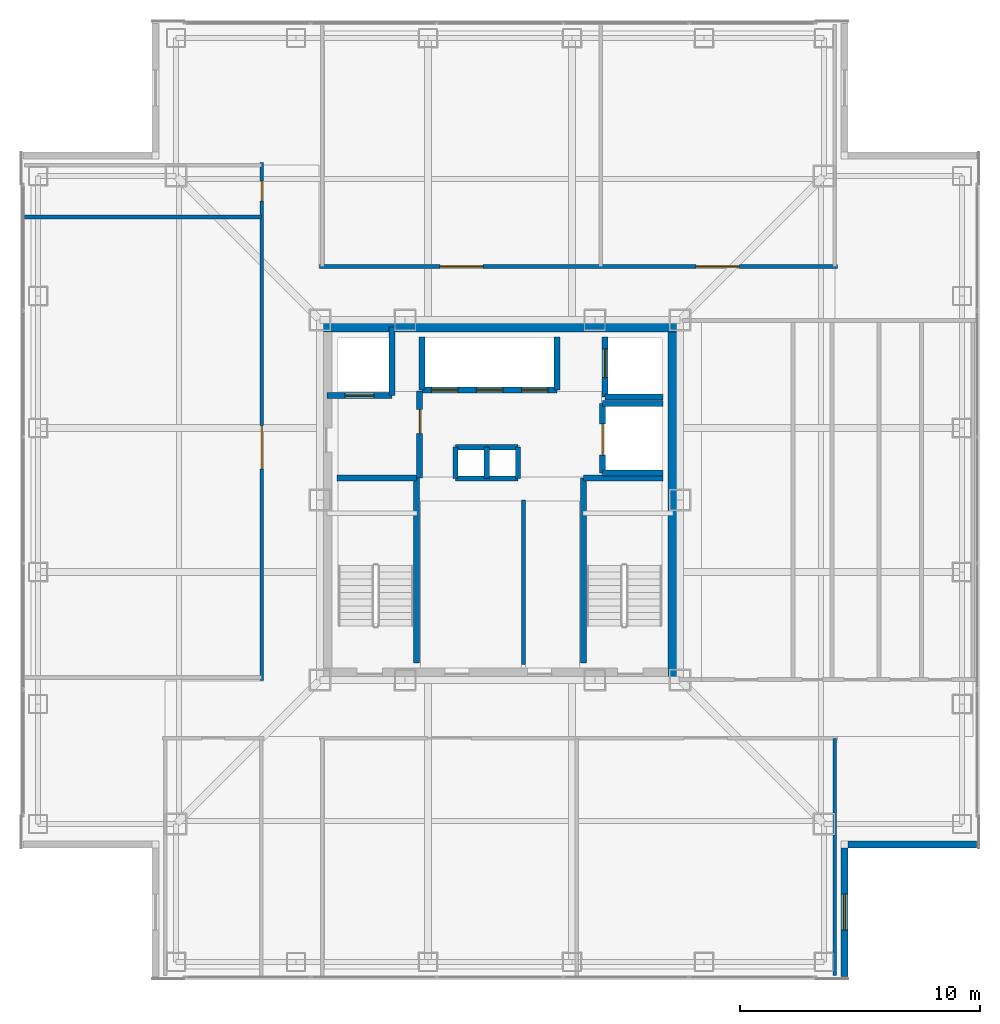
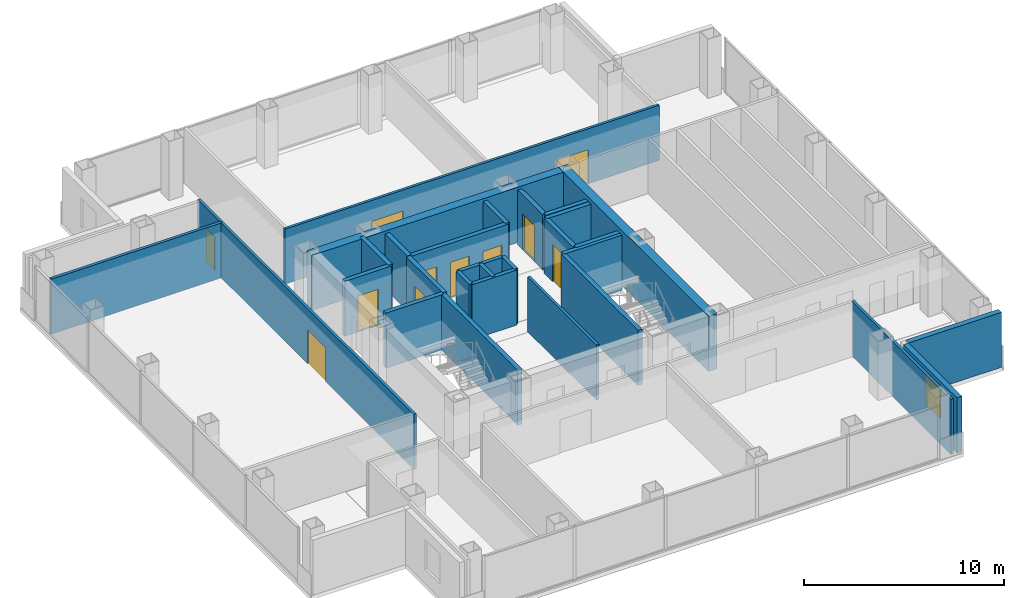
# One storey, part 11 of 18: 29 walls, 11 doors, 1 window, 12 openings.
"""IFC4 building model written with IfcOpenShell, lengths in metres."""

from ifc_helpers import new_model, si_unit, direction, frame, frame_2d, origin, place, context, subcontext, project, spatial, rectangle, extrude, material, layer, layer_set, type_object, element, fill, save


model = new_model("IFC4")

# Units and contexts
model_context = context("Model", 3, precision=1e-05, world=origin(), true_north=direction((0.0, 1.0)))
body_context = subcontext(model_context, "Body", "Model", "MODEL_VIEW")
ifc_project = project(units=[si_unit("LENGTHUNIT", "METRE"), si_unit("AREAUNIT", "SQUARE_METRE"), si_unit("VOLUMEUNIT", "CUBIC_METRE"), si_unit("PLANEANGLEUNIT", "RADIAN"), si_unit("MASSUNIT", "GRAM", prefix="KILO")], contexts=[model_context])

# Site, building, storey
site_placement = place(None, origin())
site = spatial("IfcSite", under=ifc_project, at=site_placement, CompositionType="ELEMENT")
building_placement = place(site_placement, origin())
building = spatial("IfcBuilding", under=site, at=building_placement, Name="Trevonay Congress Spire", CompositionType="ELEMENT")
storey_placement = place(building_placement, frame((0.0, 0.0, 198.60009765625)))
storey = spatial("IfcBuildingStorey", under=building, at=storey_placement, Name="L51", CompositionType="ELEMENT", Elevation=198.60009765625)

# Walls
ifc_material_1 = material(Name="Concrete C50/60", Category="concrete")
ifc_layer_1 = layer(ifc_material_1, 0.5, Name="Concrete C50/60")
ifc_layer_set_1 = layer_set([ifc_layer_1], Name="Concrete C50/60")
wall_type_1 = type_object("IfcWallType", Name="WAL-CORE-500", PredefinedType="SHEAR", material=ifc_layer_set_1)
for number, where, z_axis, x_axis, name in (
    (1, (-7.5, 7.25, 0.0), (0.0, 0.0, 1.0), (1.0, 0.0, 0.0), "L51 North structural core shear wall"),
    (2, (7.25, -7.5, 0.0), (0.0, 0.0, 1.0), (0.0, 1.0, 0.0), "L51 East structural core shear wall"),
):
    element("IfcWall", number, at=place(storey_placement, frame(where, z_axis=z_axis, x_axis=x_axis)), inside=storey, type_object=wall_type_1, Name=name, PredefinedType="SHEAR", context=body_context, shape_type="SweptSolid", body=[
        extrude(rectangle(XDim=15.0, YDim=0.5, at=frame_2d((7.5, 0.0))), origin(), (0.0, 0.0, 1.0), 3.35986328125),
    ])

# Wall, openings, doors
ifc_material_2 = material(Name="Concrete C40/50", Category="concrete")
ifc_layer_2 = layer(ifc_material_2, 0.14990234375, Name="Concrete C40/50")
ifc_layer_set_2 = layer_set([ifc_layer_2], Name="Concrete C40/50")
wall_type_2 = type_object("IfcWallType", Name="WAL-CORR-150", PredefinedType="PARTITIONING", material=ifc_layer_set_2)
wall_1_placement = place(storey_placement, frame((-9.929931640625, -7.52001953125, 0.0), z_axis=(0.0, 0.0, 1.0), x_axis=(0.0, 1.0, 0.0)))
wall_1 = element("IfcWall", 3, at=wall_1_placement, inside=storey, type_object=wall_type_2, Name="L51 interior wall WP-L51NW-COR", PredefinedType="PARTITIONING", context=body_context, shape_type="SweptSolid", body=[
    extrude(rectangle(XDim=21.590087890625, YDim=0.14990234375, at=frame_2d((10.794921875, 0.0))), origin(), (0.0, 0.0, 1.0), 3.35986328125),
])
opening_1_placement = place(wall_1_placement, frame((8.820068359375, 0.0, 0.0)))
opening_1 = element("IfcOpeningElement", 4, at=opening_1_placement, cuts=wall_1, Name="Opening D09", PredefinedType="OPENING", context=body_context, shape_type="SweptSolid", body=[
    extrude(rectangle(XDim=1.800048828125, YDim=2.080078125, at=frame_2d((0.89990234375, 1.0400390625))), frame((0.0, 0.0849609375, 0.0), z_axis=(0.0, -1.0, 0.0), x_axis=(1.0, 0.0, 0.0)), (0.0, 0.0, 1.0), 0.169921875),
])
opening_2_placement = place(wall_1_placement, frame((19.969970703125, 0.0, 0.0)))
opening_2 = element("IfcOpeningElement", 5, at=opening_2_placement, cuts=wall_1, Name="Opening D10", PredefinedType="OPENING", context=body_context, shape_type="SweptSolid", body=[
    extrude(rectangle(XDim=0.85009765625, YDim=2.050048828125, at=frame_2d((0.425048828125, 1.02490234375))), frame((0.0, 0.0849609375, 0.0), z_axis=(0.0, -1.0, 0.0), x_axis=(1.0, 0.0, 0.0)), (0.0, 0.0, 1.0), 0.169921875),
])
ifc_material_3 = material(Name="Pale Anodised Aluminium EN AW-6063-T6", Category="aluminium")
door_type_1 = type_object("IfcDoorType", Name="DOR-CONF-DBL", OperationType="DOUBLE_DOOR_SINGLE_SWING", PredefinedType="DOOR", material=ifc_material_3)
door_1_placement = place(opening_1_placement, origin())
door_1 = element("IfcDoor", 6, at=door_1_placement, inside=storey, type_object=door_type_1, Name="L51 Harbour View Grand Banquet Dining Room Door", OperationType="DOUBLE_DOOR_SINGLE_SWING", OverallHeight=2.080078125, OverallWidth=1.800048828125, PredefinedType="DOOR", context=body_context, shape_type="SweptSolid", body=[
    extrude(rectangle(XDim=1.800048828125, YDim=2.080078125, at=frame_2d((0.89990234375, 1.0400390625))), frame((0.0, 0.02490234375, 0.0), z_axis=(0.0, -1.0, 0.0), x_axis=(1.0, 0.0, 0.0)), (0.0, 0.0, 1.0), 0.050048828125),
])
fill(opening_1, door_1)
door_type_2 = type_object("IfcDoorType", Name="DOR-WC-85", OperationType="NOTDEFINED", PredefinedType="DOOR", material=ifc_material_3)
door_2_placement = place(opening_2_placement, origin())
door_2 = element("IfcDoor", 7, at=door_2_placement, inside=storey, type_object=door_type_2, Name="L51 Accessible WC Door", OperationType="SINGLE_SWING_LEFT", OverallHeight=2.050048828125, OverallWidth=0.85009765625, PredefinedType="DOOR", context=body_context, shape_type="SweptSolid", body=[
    extrude(rectangle(XDim=0.85009765625, YDim=2.050048828125, at=frame_2d((0.425048828125, 1.02490234375))), frame((0.0, 0.02490234375, 0.0), z_axis=(0.0, -1.0, 0.0), x_axis=(1.0, 0.0, 0.0)), (0.0, 0.0, 1.0), 0.050048828125),
])
fill(opening_2, door_2)

wall_2_placement = place(storey_placement, frame((-7.52001953125, 9.72998046875, 0.0), z_axis=(0.0, 0.0, 1.0), x_axis=(1.0, 0.0, 0.0)))
wall_2 = element("IfcWall", 8, at=wall_2_placement, inside=storey, type_object=wall_type_2, Name="L51 interior wall WP-L51N-COR", PredefinedType="PARTITIONING", context=body_context, shape_type="SweptSolid", body=[
    extrude(rectangle(XDim=21.590087890625, YDim=0.14990234375, at=frame_2d((10.794921875, 0.0))), origin(), (0.0, 0.0, 1.0), 3.35986328125),
])
opening_3_placement = place(wall_2_placement, frame((5.02001953125, 0.0, 0.0)))
opening_3 = element("IfcOpeningElement", 9, at=opening_3_placement, cuts=wall_2, Name="Opening D09", PredefinedType="OPENING", context=body_context, shape_type="SweptSolid", body=[
    extrude(rectangle(XDim=1.800048828125, YDim=2.080078125, at=frame_2d((0.89990234375, 1.0400390625))), frame((0.0, 0.0849609375, 0.0), z_axis=(0.0, -1.0, 0.0), x_axis=(1.0, 0.0, 0.0)), (0.0, 0.0, 1.0), 0.169921875),
])
opening_4_placement = place(wall_2_placement, frame((15.695068359375, 0.0, 0.0)))
opening_4 = element("IfcOpeningElement", 10, at=opening_4_placement, cuts=wall_2, Name="Opening D09", PredefinedType="OPENING", context=body_context, shape_type="SweptSolid", body=[
    extrude(rectangle(XDim=1.800048828125, YDim=2.080078125, at=frame_2d((0.89990234375, 1.0400390625))), frame((0.0, 0.0849609375, 0.0), z_axis=(0.0, -1.0, 0.0), x_axis=(1.0, 0.0, 0.0)), (0.0, 0.0, 1.0), 0.169921875),
])
door_3_placement = place(opening_3_placement, origin())
door_3 = element("IfcDoor", 11, at=door_3_placement, inside=storey, type_object=door_type_1, Name="L51 Champagne Aperitif Bar Door", OperationType="DOUBLE_DOOR_SINGLE_SWING", OverallHeight=2.080078125, OverallWidth=1.800048828125, PredefinedType="DOOR", context=body_context, shape_type="SweptSolid", body=[
    extrude(rectangle(XDim=1.800048828125, YDim=2.080078125, at=frame_2d((0.89990234375, 1.0400390625))), frame((0.0, 0.02490234375, 0.0), z_axis=(0.0, -1.0, 0.0), x_axis=(1.0, 0.0, 0.0)), (0.0, 0.0, 1.0), 0.050048828125),
])
fill(opening_3, door_3)
door_4_placement = place(opening_4_placement, origin())
door_4 = element("IfcDoor", 12, at=door_4_placement, inside=storey, type_object=door_type_1, Name="L51 Private Chef Table Dining Door", OperationType="DOUBLE_DOOR_SINGLE_SWING", OverallHeight=2.080078125, OverallWidth=1.800048828125, PredefinedType="DOOR", context=body_context, shape_type="SweptSolid", body=[
    extrude(rectangle(XDim=1.800048828125, YDim=2.080078125, at=frame_2d((0.89990234375, 1.0400390625))), frame((0.0, 0.02490234375, 0.0), z_axis=(0.0, -1.0, 0.0), x_axis=(1.0, 0.0, 0.0)), (0.0, 0.0, 1.0), 0.050048828125),
])
fill(opening_4, door_4)

# Wall, opening, window
ifc_material_4 = material(Name="Precast concrete C40/50", Category="concrete")
ifc_layer_3 = layer(ifc_material_4, 0.300048828125, Name="Precast concrete C40/50")
ifc_layer_set_3 = layer_set([ifc_layer_3], Name="Precast concrete C40/50")
wall_type_3 = type_object("IfcWallType", Name="WAL-EXT-PRECAST-300", PredefinedType="SOLIDWALL", material=ifc_layer_set_3)
wall_3_placement = place(storey_placement, frame((14.35009765625, -19.85009765625, 0.0), z_axis=(0.0, 0.0, 1.0), x_axis=(0.0, 1.0, 0.0)))
wall_3 = element("IfcWall", 13, at=wall_3_placement, inside=storey, type_object=wall_type_3, Name="L51 SE re-entrant notch exterior wall 1", PredefinedType="SOLIDWALL", context=body_context, shape_type="SweptSolid", body=[
    extrude(rectangle(XDim=5.35009765625, YDim=0.300048828125, at=frame_2d((2.675048828125, 0.0))), origin(), (0.0, 0.0, 1.0), 3.35986328125),
])
opening_5_placement = place(wall_3_placement, frame((1.925048828125, 0.0, 0.89990234375)))
opening_5 = element("IfcOpeningElement", 14, at=opening_5_placement, cuts=wall_3, Name="Opening WN03", PredefinedType="OPENING", context=body_context, shape_type="SweptSolid", body=[
    extrude(rectangle(XDim=1.5, YDim=1.800048828125, at=frame_2d((0.75, 0.89990234375))), frame((0.0, 0.16015625, 0.0), z_axis=(0.0, -1.0, 0.0), x_axis=(1.0, 0.0, 0.0)), (0.0, 0.0, 1.0), 0.320068359375),
])
ifc_material_5 = material(Name="Insulated Low-E Vision Glass IGU", Category="glass")
window_type = type_object("IfcWindowType", Name="WIN-NOTCH-150X180", PartitioningType="SINGLE_PANEL", PredefinedType="WINDOW", material=ifc_material_5)
window_placement = place(opening_5_placement, origin())
window = element("IfcWindow", 15, at=window_placement, inside=storey, type_object=window_type, Name="L51 SE corner notch window", OverallHeight=1.800048828125, OverallWidth=1.5, PartitioningType="SINGLE_PANEL", PredefinedType="WINDOW", context=body_context, shape_type="SweptSolid", body=[
    extrude(rectangle(XDim=1.5, YDim=1.800048828125, at=frame_2d((0.75, 0.89990234375))), frame((0.0, 0.030029296875, 0.0), z_axis=(0.0, -1.0, 0.0), x_axis=(1.0, 0.0, 0.0)), (0.0, 0.0, 1.0), 0.06005859375),
])
fill(opening_5, window)

# Walls
wall_4_placement = place(storey_placement, frame((19.85009765625, -14.35009765625, 0.0), z_axis=(0.0, 0.0, 1.0), x_axis=(-1.0, 0.0, 0.0)))
element("IfcWall", 16, at=wall_4_placement, inside=storey, type_object=wall_type_3, Name="L51 SE re-entrant notch exterior wall 2", PredefinedType="SOLIDWALL", context=body_context, shape_type="SweptSolid", body=[
    extrude(rectangle(XDim=5.35009765625, YDim=0.300048828125, at=frame_2d((2.675048828125, 0.0))), origin(), (0.0, 0.0, 1.0), 3.35986328125),
])
ifc_layer_4 = layer(ifc_material_2, 0.14990234375, Name="Concrete C40/50")
ifc_layer_set_4 = layer_set([ifc_layer_4], Name="Concrete C40/50")
wall_type_4 = type_object("IfcWallType", Name="WAL-PART-150", PredefinedType="PARTITIONING", material=ifc_layer_set_4)
wall_5_placement = place(storey_placement, frame((0.97998046875, -6.85009765625, 0.0), z_axis=(0.0, 0.0, 1.0), x_axis=(0.0, 1.0, 0.0)))
element("IfcWall", 17, at=wall_5_placement, inside=storey, type_object=wall_type_4, Name="L51 interior wall CW-F3-L51", PredefinedType="PARTITIONING", context=body_context, shape_type="SweptSolid", body=[
    extrude(rectangle(XDim=6.85009765625, YDim=0.14990234375, at=frame_2d((3.425048828125, 0.0))), origin(), (0.0, 0.0, 1.0), 3.35986328125),
])
wall_6_placement = place(storey_placement, frame((13.949951171875, -19.820068359375, 0.0), z_axis=(0.0, 0.0, 1.0), x_axis=(0.0, 1.0, 0.0)))
element("IfcWall", 18, at=wall_6_placement, inside=storey, type_object=wall_type_4, Name="L51 interior wall WP-L51SE-DIV3", PredefinedType="PARTITIONING", context=body_context, shape_type="SweptSolid", body=[
    extrude(rectangle(XDim=9.89013671875, YDim=0.14990234375, at=frame_2d((4.945068359375, 0.0))), origin(), (0.0, 0.0, 1.0), 3.35986328125),
])
ifc_layer_5 = layer(ifc_material_2, 0.219970703125, Name="Concrete C40/50")
ifc_layer_set_5 = layer_set([ifc_layer_5], Name="Concrete C40/50")
wall_type_5 = type_object("IfcWallType", Name="WAL-SHAFT-220", PredefinedType="PARTITIONING", material=ifc_layer_set_5)
for number, where, z_axis, x_axis, name in (
    (19, (-1.85009765625, 2.199951171875, 0.0), (0.0, 0.0, 1.0), (1.0, 0.0, 0.0), "L51 interior shaft wall WSH-L51-RSR-N"),
    (20, (-1.85009765625, 0.89990234375, 0.0), (0.0, 0.0, 1.0), (1.0, 0.0, 0.0), "L51 interior shaft wall WSH-L51-RSR-S"),
):
    element("IfcWall", number, at=place(storey_placement, frame(where, z_axis=z_axis, x_axis=x_axis)), inside=storey, type_object=wall_type_5, Name=name, PredefinedType="PARTITIONING", context=body_context, shape_type="SweptSolid", body=[
        extrude(rectangle(XDim=2.60009765625, YDim=0.219970703125, at=frame_2d((1.300048828125, 0.0))), origin(), (0.0, 0.0, 1.0), 3.35986328125),
    ])
for number, where, z_axis, x_axis, name in (
    (21, (-0.550048828125, 0.89990234375, 0.0), (0.0, 0.0, 1.0), (0.0, 1.0, 0.0), "L51 interior shaft wall WSH-L51-RSR-M"),
    (22, (0.75, 0.89990234375, 0.0), (0.0, 0.0, 1.0), (0.0, 1.0, 0.0), "L51 interior shaft wall WSH-L51-RSR-E"),
    (23, (-1.85009765625, 0.89990234375, 0.0), (0.0, 0.0, 1.0), (0.0, 1.0, 0.0), "L51 interior shaft wall WSH-L51-RSR-W"),
):
    element("IfcWall", number, at=place(storey_placement, frame(where, z_axis=z_axis, x_axis=x_axis)), inside=storey, type_object=wall_type_5, Name=name, PredefinedType="PARTITIONING", context=body_context, shape_type="SweptSolid", body=[
        extrude(rectangle(XDim=1.300048828125, YDim=0.219970703125, at=frame_2d((0.64990234375, 0.0))), origin(), (0.0, 0.0, 1.0), 3.35986328125),
    ])

# Wall, openings, doors
ifc_layer_6 = layer(ifc_material_2, 0.25, Name="Concrete C40/50")
ifc_layer_set_6 = layer_set([ifc_layer_6], Name="Concrete C40/50")
wall_type_6 = type_object("IfcWallType", Name="WAL-SHAFT-250", PredefinedType="SHEAR", material=ifc_layer_set_6)
wall_7_placement = place(storey_placement, frame((-3.260009765625, 4.580078125, 0.0), z_axis=(0.0, 0.0, 1.0), x_axis=(1.0, 0.0, 0.0)))
wall_7 = element("IfcWall", 24, at=wall_7_placement, inside=storey, type_object=wall_type_6, Name="L51 interior shaft wall WSH-L51-B3-S", PredefinedType="SHEAR", context=body_context, shape_type="SweptSolid", body=[
    extrude(rectangle(XDim=5.639892578125, YDim=0.25, at=frame_2d((2.81982421875, 0.0))), origin(), (0.0, 0.0, 1.0), 3.35986328125),
])
opening_6_placement = place(wall_7_placement, frame((0.39990234375, 0.0, 0.0)))
opening_6 = element("IfcOpeningElement", 25, at=opening_6_placement, cuts=wall_7, Name="Opening LD03", PredefinedType="OPENING", context=body_context, shape_type="SweptSolid", body=[
    extrude(rectangle(XDim=1.10009765625, YDim=2.199951171875, at=frame_2d((0.550048828125, 1.10009765625))), frame((0.0, 0.135009765625, 0.0), z_axis=(0.0, -1.0, 0.0), x_axis=(1.0, 0.0, 0.0)), (0.0, 0.0, 1.0), 0.27001953125),
])
opening_7_placement = place(wall_7_placement, frame((2.280029296875, 0.0, 0.0)))
opening_7 = element("IfcOpeningElement", 26, at=opening_7_placement, cuts=wall_7, Name="Opening LD03", PredefinedType="OPENING", context=body_context, shape_type="SweptSolid", body=[
    extrude(rectangle(XDim=1.10009765625, YDim=2.199951171875, at=frame_2d((0.550048828125, 1.10009765625))), frame((0.0, 0.135009765625, 0.0), z_axis=(0.0, -1.0, 0.0), x_axis=(1.0, 0.0, 0.0)), (0.0, 0.0, 1.0), 0.27001953125),
])
opening_8_placement = place(wall_7_placement, frame((4.159912109375, 0.0, 0.0)))
opening_8 = element("IfcOpeningElement", 27, at=opening_8_placement, cuts=wall_7, Name="Opening LD03", PredefinedType="OPENING", context=body_context, shape_type="SweptSolid", body=[
    extrude(rectangle(XDim=1.10009765625, YDim=2.199951171875, at=frame_2d((0.550048828125, 1.10009765625))), frame((0.0, 0.135009765625, 0.0), z_axis=(0.0, -1.0, 0.0), x_axis=(1.0, 0.0, 0.0)), (0.0, 0.0, 1.0), 0.27001953125),
])
door_type_3 = type_object("IfcDoorType", Name="DOR-LIFT-LD03", OperationType="DOUBLE_DOOR_SLIDING", PredefinedType="DOOR", material=ifc_material_3)
door_5_placement = place(opening_6_placement, origin())
door_5 = element("IfcDoor", 28, at=door_5_placement, inside=storey, type_object=door_type_3, Name="L51 Passenger lift PL-07 landing door", OperationType="DOUBLE_DOOR_SLIDING", OverallHeight=2.199951171875, OverallWidth=1.10009765625, PredefinedType="DOOR", context=body_context, shape_type="SweptSolid", body=[
    extrude(rectangle(XDim=1.10009765625, YDim=2.199951171875, at=frame_2d((0.550048828125, 1.10009765625))), frame((0.0, 0.02490234375, 0.0), z_axis=(0.0, -1.0, 0.0), x_axis=(1.0, 0.0, 0.0)), (0.0, 0.0, 1.0), 0.050048828125),
])
fill(opening_6, door_5)
door_6_placement = place(opening_7_placement, origin())
door_6 = element("IfcDoor", 29, at=door_6_placement, inside=storey, type_object=door_type_3, Name="L51 Passenger lift PL-08 landing door", OperationType="DOUBLE_DOOR_SLIDING", OverallHeight=2.199951171875, OverallWidth=1.10009765625, PredefinedType="DOOR", context=body_context, shape_type="SweptSolid", body=[
    extrude(rectangle(XDim=1.10009765625, YDim=2.199951171875, at=frame_2d((0.550048828125, 1.10009765625))), frame((0.0, 0.02490234375, 0.0), z_axis=(0.0, -1.0, 0.0), x_axis=(1.0, 0.0, 0.0)), (0.0, 0.0, 1.0), 0.050048828125),
])
fill(opening_7, door_6)
door_7_placement = place(opening_8_placement, origin())
door_7 = element("IfcDoor", 30, at=door_7_placement, inside=storey, type_object=door_type_3, Name="L51 Passenger lift PL-09 landing door", OperationType="DOUBLE_DOOR_SLIDING", OverallHeight=2.199951171875, OverallWidth=1.10009765625, PredefinedType="DOOR", context=body_context, shape_type="SweptSolid", body=[
    extrude(rectangle(XDim=1.10009765625, YDim=2.199951171875, at=frame_2d((0.550048828125, 1.10009765625))), frame((0.0, 0.02490234375, 0.0), z_axis=(0.0, -1.0, 0.0), x_axis=(1.0, 0.0, 0.0)), (0.0, 0.0, 1.0), 0.050048828125),
])
fill(opening_8, door_7)

# Walls
for number, where, z_axis, x_axis, name in (
    (31, (-3.260009765625, 4.580078125, 0.0), (0.0, 0.0, 1.0), (0.0, 1.0, 0.0), "L51 interior shaft wall WSH-L51-B3-W"),
    (32, (2.3798828125, 4.580078125, 0.0), (0.0, 0.0, 1.0), (0.0, 1.0, 0.0), "L51 interior shaft wall WSH-L51-B3-E"),
):
    element("IfcWall", number, at=place(storey_placement, frame(where, z_axis=z_axis, x_axis=x_axis)), inside=storey, type_object=wall_type_6, Name=name, PredefinedType="SHEAR", context=body_context, shape_type="SweptSolid", body=[
        extrude(rectangle(XDim=2.219970703125, YDim=0.25, at=frame_2d((1.10986328125, 0.0))), origin(), (0.0, 0.0, 1.0), 3.35986328125),
    ])

# Wall, opening, door
wall_8_placement = place(storey_placement, frame((-7.199951171875, 4.35009765625, 0.0), z_axis=(0.0, 0.0, 1.0), x_axis=(1.0, 0.0, 0.0)))
wall_8 = element("IfcWall", 33, at=wall_8_placement, inside=storey, type_object=wall_type_6, Name="L51 interior shaft wall WSH-L51-FF1-S", PredefinedType="SHEAR", context=body_context, shape_type="SweptSolid", body=[
    extrude(rectangle(XDim=2.699951171875, YDim=0.25, at=frame_2d((1.35009765625, 0.0))), origin(), (0.0, 0.0, 1.0), 3.35986328125),
])
opening_9_placement = place(wall_8_placement, frame((0.75, 0.0, 0.0)))
opening_9 = element("IfcOpeningElement", 34, at=opening_9_placement, cuts=wall_8, Name="Opening LD04", PredefinedType="OPENING", context=body_context, shape_type="SweptSolid", body=[
    extrude(rectangle(XDim=1.199951171875, YDim=2.199951171875, at=frame_2d((0.60009765625, 1.10009765625))), frame((0.0, 0.135009765625, 0.0), z_axis=(0.0, -1.0, 0.0), x_axis=(1.0, 0.0, 0.0)), (0.0, 0.0, 1.0), 0.27001953125),
])
ifc_material_6 = material(Name="Steel ASTM A572 Grade 50", Category="steel")
door_type_4 = type_object("IfcDoorType", Name="DOR-LIFT-LD04", OperationType="DOUBLE_DOOR_SLIDING", PredefinedType="DOOR", material=ifc_material_6)
door_8_placement = place(opening_9_placement, origin())
door_8 = element("IfcDoor", 35, at=door_8_placement, inside=storey, type_object=door_type_4, Name="L51 Firefighting lift FFL-01 landing door", OperationType="DOUBLE_DOOR_SLIDING", OverallHeight=2.199951171875, OverallWidth=1.199951171875, PredefinedType="DOOR", context=body_context, shape_type="SweptSolid", body=[
    extrude(rectangle(XDim=1.199951171875, YDim=2.199951171875, at=frame_2d((0.60009765625, 1.10009765625))), frame((0.0, 0.02490234375, 0.0), z_axis=(0.0, -1.0, 0.0), x_axis=(1.0, 0.0, 0.0)), (0.0, 0.0, 1.0), 0.050048828125),
])
fill(opening_9, door_8)

# Walls
wall_9_placement = place(storey_placement, frame((-4.5, 4.35009765625, 0.0), z_axis=(0.0, 0.0, 1.0), x_axis=(0.0, 1.0, 0.0)))
element("IfcWall", 36, at=wall_9_placement, inside=storey, type_object=wall_type_6, Name="L51 interior shaft wall WSH-L51-FF1-E", PredefinedType="SHEAR", context=body_context, shape_type="SweptSolid", body=[
    extrude(rectangle(XDim=2.849853515625, YDim=0.25, at=frame_2d((1.4248046875, 0.0))), origin(), (0.0, 0.0, 1.0), 3.35986328125),
])
wall_10_placement = place(storey_placement, frame((4.3798828125, 4.300048828125, 0.0), z_axis=(0.0, 0.0, 1.0), x_axis=(1.0, 0.0, 0.0)))
element("IfcWall", 37, at=wall_10_placement, inside=storey, type_object=wall_type_6, Name="L51 interior shaft wall WSH-L51-FF2-S", PredefinedType="SHEAR", context=body_context, shape_type="SweptSolid", body=[
    extrude(rectangle(XDim=2.420166015625, YDim=0.25, at=frame_2d((1.2099609375, 0.0))), origin(), (0.0, 0.0, 1.0), 3.35986328125),
])

# Wall, opening, door
wall_11_placement = place(storey_placement, frame((4.3798828125, 4.300048828125, 0.0), z_axis=(0.0, 0.0, 1.0), x_axis=(0.0, 1.0, 0.0)))
wall_11 = element("IfcWall", 38, at=wall_11_placement, inside=storey, type_object=wall_type_6, Name="L51 interior shaft wall WSH-L51-FF2-W", PredefinedType="SHEAR", context=body_context, shape_type="SweptSolid", body=[
    extrude(rectangle(XDim=2.5, YDim=0.25, at=frame_2d((1.25, 0.0))), origin(), (0.0, 0.0, 1.0), 3.35986328125),
])
opening_10_placement = place(wall_11_placement, frame((0.800048828125, 0.0, 0.0)))
opening_10 = element("IfcOpeningElement", 39, at=opening_10_placement, cuts=wall_11, Name="Opening LD04", PredefinedType="OPENING", context=body_context, shape_type="SweptSolid", body=[
    extrude(rectangle(XDim=1.199951171875, YDim=2.199951171875, at=frame_2d((0.60009765625, 1.10009765625))), frame((0.0, 0.135009765625, 0.0), z_axis=(0.0, -1.0, 0.0), x_axis=(1.0, 0.0, 0.0)), (0.0, 0.0, 1.0), 0.27001953125),
])
door_9_placement = place(opening_10_placement, origin())
door_9 = element("IfcDoor", 40, at=door_9_placement, inside=storey, type_object=door_type_4, Name="L51 Firefighting lift FFL-02 landing door", OperationType="DOUBLE_DOOR_SLIDING", OverallHeight=2.199951171875, OverallWidth=1.199951171875, PredefinedType="DOOR", context=body_context, shape_type="SweptSolid", body=[
    extrude(rectangle(XDim=1.199951171875, YDim=2.199951171875, at=frame_2d((0.60009765625, 1.10009765625))), frame((0.0, 0.02490234375, 0.0), z_axis=(0.0, -1.0, 0.0), x_axis=(1.0, 0.0, 0.0)), (0.0, 0.0, 1.0), 0.050048828125),
])
fill(opening_10, door_9)

wall_12_placement = place(storey_placement, frame((4.280029296875, 1.1201171875, 0.0), z_axis=(0.0, 0.0, 1.0), x_axis=(0.0, 1.0, 0.0)))
wall_12 = element("IfcWall", 41, at=wall_12_placement, inside=storey, type_object=wall_type_6, Name="L51 interior shaft wall WSH-L51-SV-W", PredefinedType="SHEAR", context=body_context, shape_type="SweptSolid", body=[
    extrude(rectangle(XDim=2.89990234375, YDim=0.25, at=frame_2d((1.449951171875, 0.0))), origin(), (0.0, 0.0, 1.0), 3.35986328125),
])
opening_11_placement = place(wall_12_placement, frame((0.75, 0.0, 0.0)))
opening_11 = element("IfcOpeningElement", 42, at=opening_11_placement, cuts=wall_12, Name="Opening LD05", PredefinedType="OPENING", context=body_context, shape_type="SweptSolid", body=[
    extrude(rectangle(XDim=1.300048828125, YDim=2.300048828125, at=frame_2d((0.64990234375, 1.14990234375))), frame((0.0, 0.135009765625, 0.0), z_axis=(0.0, -1.0, 0.0), x_axis=(1.0, 0.0, 0.0)), (0.0, 0.0, 1.0), 0.27001953125),
])
door_type_5 = type_object("IfcDoorType", Name="DOR-LIFT-LD05", OperationType="DOUBLE_DOOR_SLIDING", PredefinedType="DOOR", material=ifc_material_6)
door_10_placement = place(opening_11_placement, origin())
door_10 = element("IfcDoor", 43, at=door_10_placement, inside=storey, type_object=door_type_5, Name="L51 Goods lift SVL-01 landing door", OperationType="DOUBLE_DOOR_SLIDING", OverallHeight=2.300048828125, OverallWidth=1.300048828125, PredefinedType="DOOR", context=body_context, shape_type="SweptSolid", body=[
    extrude(rectangle(XDim=1.300048828125, YDim=2.300048828125, at=frame_2d((0.64990234375, 1.14990234375))), frame((0.0, 0.02490234375, 0.0), z_axis=(0.0, -1.0, 0.0), x_axis=(1.0, 0.0, 0.0)), (0.0, 0.0, 1.0), 0.050048828125),
])
fill(opening_11, door_10)

# Walls
for number, where, z_axis, x_axis, name in (
    (44, (4.280029296875, 1.1201171875, 0.0), (0.0, 0.0, 1.0), (1.0, 0.0, 0.0), "L51 interior shaft wall WSH-L51-SV-S"),
    (45, (4.280029296875, 4.02001953125, 0.0), (0.0, 0.0, 1.0), (1.0, 0.0, 0.0), "L51 interior shaft wall WSH-L51-SV-N"),
):
    element("IfcWall", number, at=place(storey_placement, frame(where, z_axis=z_axis, x_axis=x_axis)), inside=storey, type_object=wall_type_6, Name=name, PredefinedType="SHEAR", context=body_context, shape_type="SweptSolid", body=[
        extrude(rectangle(XDim=2.52001953125, YDim=0.25, at=frame_2d((1.260009765625, 0.0))), origin(), (0.0, 0.0, 1.0), 3.35986328125),
    ])

# Wall, opening, door
wall_13_placement = place(storey_placement, frame((-3.35009765625, 0.919921875, 0.0), z_axis=(0.0, 0.0, 1.0), x_axis=(0.0, 1.0, 0.0)))
wall_13 = element("IfcWall", 46, at=wall_13_placement, inside=storey, type_object=wall_type_6, Name="L51 interior wall CW-FFLW-E-L51", PredefinedType="SHEAR", context=body_context, shape_type="SweptSolid", body=[
    extrude(rectangle(XDim=3.6201171875, YDim=0.25, at=frame_2d((1.81005859375, 0.0))), origin(), (0.0, 0.0, 1.0), 3.35986328125),
])
opening_12_placement = place(wall_13_placement, frame((1.85009765625, 0.0, 0.0)))
opening_12 = element("IfcOpeningElement", 47, at=opening_12_placement, cuts=wall_13, Name="Opening D06", PredefinedType="OPENING", context=body_context, shape_type="SweptSolid", body=[
    extrude(rectangle(XDim=1.0, YDim=2.080078125, at=frame_2d((0.5, 1.0400390625))), frame((0.0, 0.135009765625, 0.0), z_axis=(0.0, -1.0, 0.0), x_axis=(1.0, 0.0, 0.0)), (0.0, 0.0, 1.0), 0.27001953125),
])
door_type_6 = type_object("IfcDoorType", Name="DOR-FIRE-100", OperationType="NOTDEFINED", PredefinedType="DOOR", material=ifc_material_6)
door_11_placement = place(opening_12_placement, origin())
door_11 = element("IfcDoor", 48, at=door_11_placement, inside=storey, type_object=door_type_6, Name="L51 Firefighting Core Lobby Transfer Door", OperationType="SINGLE_SWING_LEFT", OverallHeight=2.080078125, OverallWidth=1.0, PredefinedType="DOOR", context=body_context, shape_type="SweptSolid", body=[
    extrude(rectangle(XDim=1.0, YDim=2.080078125, at=frame_2d((0.5, 1.0400390625))), frame((0.0, 0.02490234375, 0.0), z_axis=(0.0, -1.0, 0.0), x_axis=(1.0, 0.0, 0.0)), (0.0, 0.0, 1.0), 0.050048828125),
])
fill(opening_12, door_11)

# Walls
ifc_layer_7 = layer(ifc_material_2, 0.25, Name="Concrete C40/50")
ifc_layer_set_7 = layer_set([ifc_layer_7], Name="Concrete C40/50")
wall_type_7 = type_object("IfcWallType", Name="WAL-SHAFT-LB-250", PredefinedType="SHEAR", material=ifc_layer_set_7)
wall_14_placement = place(storey_placement, frame((-3.469970703125, -6.800048828125, 0.0), z_axis=(0.0, 0.0, 1.0), x_axis=(0.0, 1.0, 0.0)))
element("IfcWall", 49, at=wall_14_placement, inside=storey, type_object=wall_type_7, Name="L51 interior shaft wall WSH-L51-ST1-E", PredefinedType="SHEAR", context=body_context, shape_type="SweptSolid", body=[
    extrude(rectangle(XDim=7.719970703125, YDim=0.25, at=frame_2d((3.85986328125, 0.0))), origin(), (0.0, 0.0, 1.0), 3.35986328125),
])
wall_15_placement = place(storey_placement, frame((-6.800048828125, 0.919921875, 0.0), z_axis=(0.0, 0.0, 1.0), x_axis=(1.0, 0.0, 0.0)))
element("IfcWall", 50, at=wall_15_placement, inside=storey, type_object=wall_type_7, Name="L51 interior shaft wall WSH-L51-ST1-N", PredefinedType="SHEAR", context=body_context, shape_type="SweptSolid", body=[
    extrude(rectangle(XDim=3.330078125, YDim=0.25, at=frame_2d((1.6650390625, 0.0))), origin(), (0.0, 0.0, 1.0), 3.35986328125),
])
wall_16_placement = place(storey_placement, frame((3.469970703125, -6.800048828125, 0.0), z_axis=(0.0, 0.0, 1.0), x_axis=(0.0, 1.0, 0.0)))
element("IfcWall", 51, at=wall_16_placement, inside=storey, type_object=wall_type_7, Name="L51 interior shaft wall WSH-L51-ST2-W", PredefinedType="SHEAR", context=body_context, shape_type="SweptSolid", body=[
    extrude(rectangle(XDim=7.719970703125, YDim=0.25, at=frame_2d((3.85986328125, 0.0))), origin(), (0.0, 0.0, 1.0), 3.35986328125),
])
wall_17_placement = place(storey_placement, frame((3.469970703125, 0.919921875, 0.0), z_axis=(0.0, 0.0, 1.0), x_axis=(1.0, 0.0, 0.0)))
element("IfcWall", 52, at=wall_17_placement, inside=storey, type_object=wall_type_7, Name="L51 interior shaft wall WSH-L51-ST2-N", PredefinedType="SHEAR", context=body_context, shape_type="SweptSolid", body=[
    extrude(rectangle(XDim=3.330078125, YDim=0.25, at=frame_2d((1.6650390625, 0.0))), origin(), (0.0, 0.0, 1.0), 3.35986328125),
])
ifc_layer_8 = layer(ifc_material_2, 0.1650390625, Name="Concrete C40/50")
ifc_layer_set_8 = layer_set([ifc_layer_8], Name="Concrete C40/50")
wall_type_8 = type_object("IfcWallType", Name="WAL-WET-165", PredefinedType="PLUMBINGWALL", material=ifc_layer_set_8)
wall_18_placement = place(storey_placement, frame((-19.820068359375, 11.800048828125, 0.0), z_axis=(0.0, 0.0, 1.0), x_axis=(1.0, 0.0, 0.0)))
element("IfcWall", 53, at=wall_18_placement, inside=storey, type_object=wall_type_8, Name="L51 interior wall WP-L51NW-DIV2", PredefinedType="PLUMBINGWALL", context=body_context, shape_type="SweptSolid", body=[
    extrude(rectangle(XDim=9.89013671875, YDim=0.1650390625, at=frame_2d((4.945068359375, 0.0))), origin(), (0.0, 0.0, 1.0), 3.35986328125),
])

save(model, "model.ifc")
